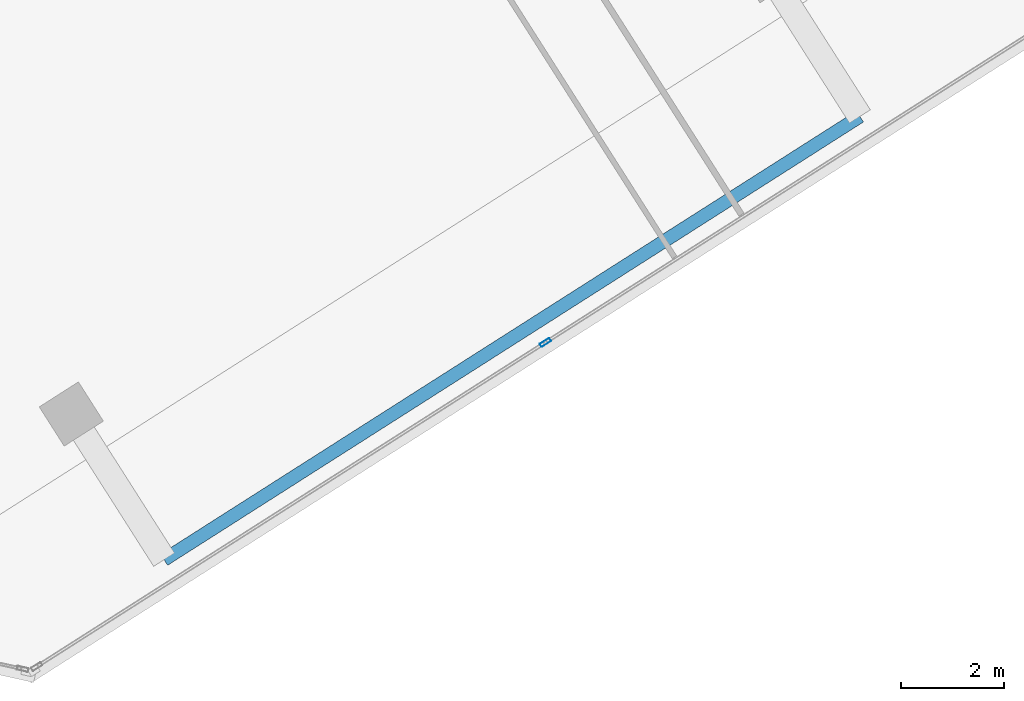
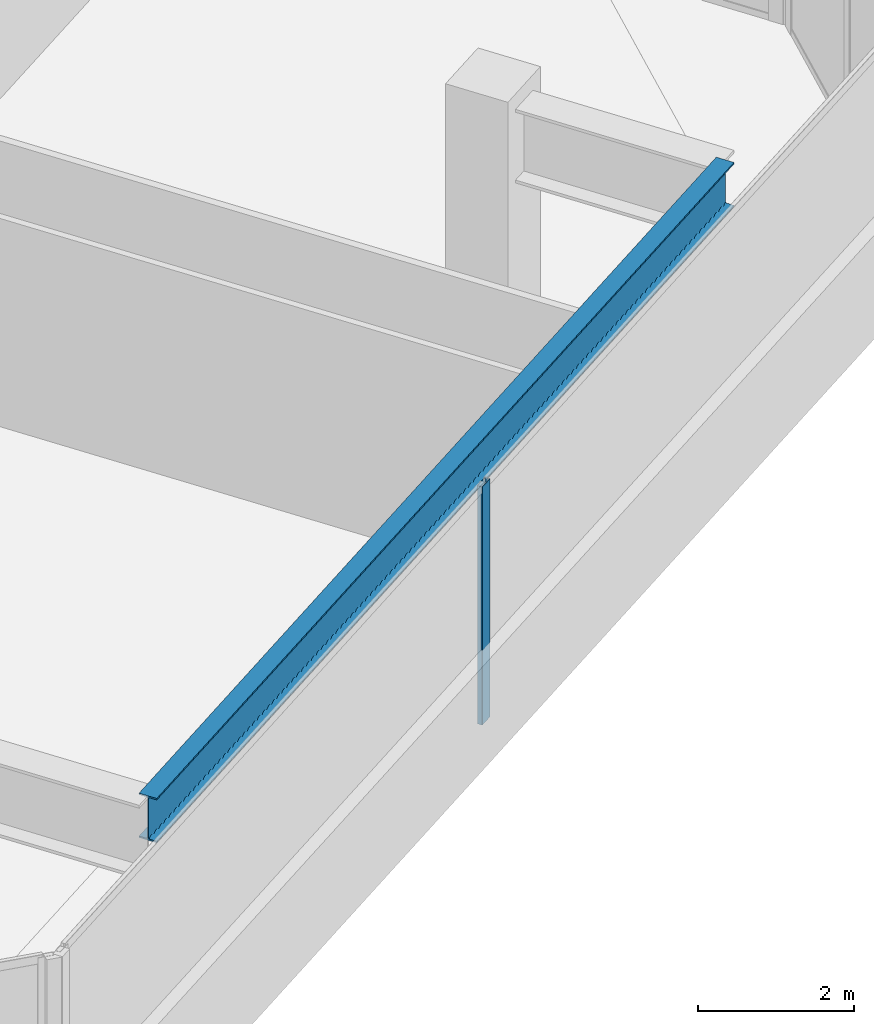
# One storey, part 5 of 15: 1 beam, 1 member, 1 element without a shape of its own.
"""IFC4 building model written with IfcOpenShell, lengths in metres."""

from ifc_helpers import new_model, si_unit, direction, frame, origin, origin_2d, place, context, subcontext, project, spatial, hollow_rectangle, i_section, extrude, source, transform, mapped, material, material_profile, profile_set, type_object, element, aggregate, save


model = new_model("IFC4")

# Units and contexts
model_context = context("Model", 3, precision=1e-05, world=origin(), true_north=direction((0.0, 1.0)))
body_context = subcontext(model_context, "Body", "Model", "MODEL_VIEW")
ifc_project = project(units=[si_unit("LENGTHUNIT", "METRE"), si_unit("AREAUNIT", "SQUARE_METRE"), si_unit("VOLUMEUNIT", "CUBIC_METRE"), si_unit("PLANEANGLEUNIT", "RADIAN"), si_unit("MASSUNIT", "GRAM", prefix="KILO")], contexts=[model_context])

# Site, building, storey
site_placement = place(None, origin())
site = spatial("IfcSite", under=ifc_project, at=site_placement, CompositionType="ELEMENT")
building_placement = place(site_placement, origin())
building = spatial("IfcBuilding", under=site, at=building_placement, Name="Torre Montelarca", CompositionType="ELEMENT")
storey_placement = place(building_placement, frame((0.0, 0.0, 311.39990234375)))
storey = spatial("IfcBuildingStorey", under=building, at=storey_placement, Name="L70", CompositionType="ELEMENT", Elevation=311.39990234375)

# Beam
ifc_material_1 = material(Name="Steel ASTM A992 Grade 50", Category="steel")
ifc_material_profile_1 = material_profile(ifc_material_1, i_section(OverallWidth=0.256103515625, OverallDepth=0.693115234375, WebThickness=0.014404296875, FlangeThickness=0.023681640625, FilletRadius=0.01806640625, at=origin_2d()), Name="W690X170", Category="steel")
ifc_profile_set_1 = profile_set([ifc_material_profile_1], Name="Steel ASTM A992 Grade 50")
beam_type = type_object("IfcBeamType", Name="BM-G-W690-EXT", PredefinedType="BEAM", material=ifc_profile_set_1)
shared_shape_1 = source(origin(), body_context, "Body", "SweptSolid", [
    extrude(i_section(OverallWidth=0.256103515625, OverallDepth=0.693115234375, WebThickness=0.014404296875, FlangeThickness=0.023681640625, FilletRadius=0.01806640625, at=origin_2d()), origin(), (0.0, 0.0, 1.0), 15.999755859375),
])
beam_placement = place(storey_placement, frame((24.34375, 12.647216796875, 3.614013671875), z_axis=(0.843392465414, 0.537298007891, 0.0), x_axis=(-0.537298007891, 0.843392465414, 0.0)))
element("IfcBeam", 1, at=beam_placement, inside=storey, type_object=beam_type, Name="L70 Sliding Tray Edge Girder East 24-40m (FLR)", PredefinedType="BEAM", context=body_context, shape_type="MappedRepresentation", body=[
    mapped(shared_shape_1, transform((0.0, 0.0, 0.0), scale=1.0)),
])

# Curtain wall, member
ifc_material_2 = material(Name="Insulated low-E laminated glass", Category="glass")
curtain_wall_type = type_object("IfcCurtainWallType", Name="CW-SYS-Z4", PredefinedType="USERDEFINED", material=ifc_material_2)
curtain_wall_placement = place(storey_placement, origin())
curtain_wall = element("IfcCurtainWall", 2, at=curtain_wall_placement, inside=storey, type_object=curtain_wall_type, Name="L70 Curtain Wall Run CW-T3-L70-E06-B1", ObjectType="UNITISED GLAZING", PredefinedType="USERDEFINED")
ifc_material_3 = material(Name="Anodised aluminium AA 6063-T6", Category="aluminium")
ifc_material_profile_2 = material_profile(ifc_material_3, hollow_rectangle(XDim=0.074951171875, YDim=0.219970703125, WallThickness=0.0048828125, InnerFilletRadius=0.0048828125, OuterFilletRadius=0.010009765625, at=origin_2d()), Name="ALU75X220X5", Category="aluminium")
ifc_profile_set_2 = profile_set([ifc_material_profile_2], Name="Anodised aluminium AA 6063-T6")
member_type = type_object("IfcMemberType", Name="CWM-ALU220", PredefinedType="MULLION", material=ifc_profile_set_2)
shared_shape_2 = source(origin(), body_context, "Body", "SweptSolid", [
    extrude(hollow_rectangle(XDim=0.074951171875, YDim=0.219970703125, WallThickness=0.0048828125, InnerFilletRadius=0.0048828125, OuterFilletRadius=0.010009765625, at=origin_2d()), origin(), (0.0, 0.0, 1.0), 3.72021484375),
])
member_placement = place(storey_placement, frame((31.73828125, 16.85986328125, 0.0), z_axis=(0.0, 0.0, 1.0), x_axis=(-0.537301679311, 0.84339012646, 0.0)))
member = element("IfcMember", 3, at=member_placement, type_object=member_type, Name="CW mullion 2", PredefinedType="MULLION", context=body_context, shape_type="MappedRepresentation", body=[
    mapped(shared_shape_2, transform((0.0, 0.0, 0.0), scale=1.0)),
])
aggregate(curtain_wall, [member])

save(model, "model.ifc")
